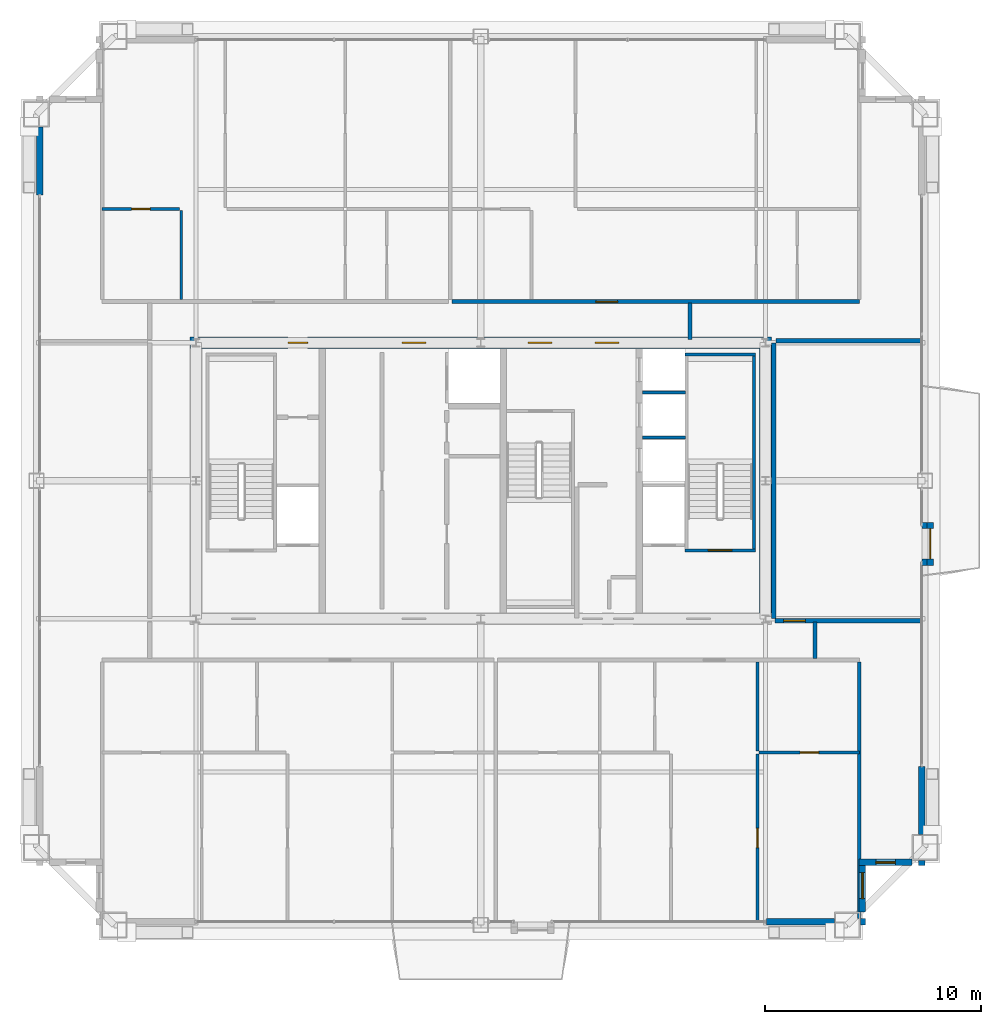
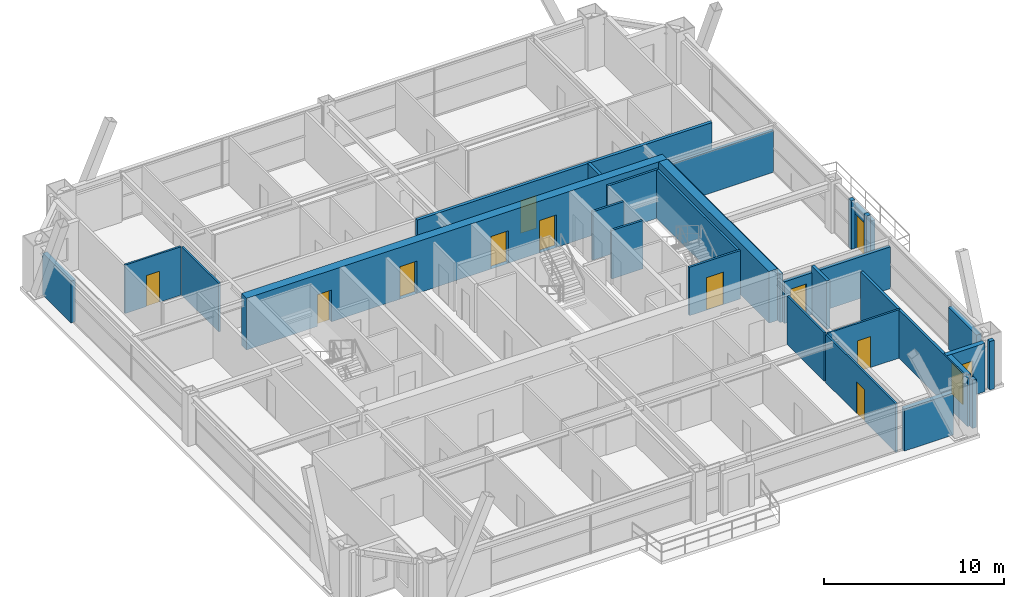
# One storey, part 34 of 37: 29 walls, 11 doors, 2 windows, 13 openings.
"""IFC4 building model written with IfcOpenShell, lengths in metres."""

from ifc_helpers import new_model, si_unit, direction, frame, frame_2d, origin, place, context, subcontext, project, spatial, rectangle, extrude, source, transform, mapped, material, layer, layer_set, type_object, element, fill, save


model = new_model("IFC4")

# Units and contexts
model_context = context("Model", 3, precision=1e-05, world=origin(), true_north=direction((0.0, 1.0)))
body_context = subcontext(model_context, "Body", "Model", "MODEL_VIEW")
ifc_project = project(units=[si_unit("LENGTHUNIT", "METRE"), si_unit("AREAUNIT", "SQUARE_METRE"), si_unit("VOLUMEUNIT", "CUBIC_METRE"), si_unit("PLANEANGLEUNIT", "RADIAN"), si_unit("MASSUNIT", "GRAM", prefix="KILO"), si_unit("THERMODYNAMICTEMPERATUREUNIT", "KELVIN"), si_unit("POWERUNIT", "WATT")], contexts=[model_context])

# Site, building, storey
site_placement = place(None, origin())
site = spatial("IfcSite", under=ifc_project, at=site_placement, CompositionType="ELEMENT")
building_placement = place(site_placement, origin())
building = spatial("IfcBuilding", under=site, at=building_placement, Name="Yuzanri Waterfront Tower", CompositionType="ELEMENT")
storey_placement = place(building_placement, frame((0.0, 0.0, 278.60009765625)))
storey = spatial("IfcBuildingStorey", under=building, at=storey_placement, Name="L74", CompositionType="ELEMENT", Elevation=278.60009765625)

# Wall, opening, door
ifc_material_1 = material(Name="Moisture-Resistant Gypsum Stud Wall", Category="gypsum")
ifc_layer_1 = layer(ifc_material_1, 0.1201171875)
ifc_layer_set_1 = layer_set([ifc_layer_1], Name="Moisture-Resistant Gypsum Stud Wall")
wall_type_1 = type_object("IfcWallType", Name="Bathroom and Kitchen Wet Partition 120", PredefinedType="PARTITIONING", material=ifc_layer_set_1)
wall_1_placement = place(storey_placement, frame((49.9130859375, 13.199951171875, 0.0), z_axis=(0.0, 0.0, 1.0), x_axis=(1.0, 0.0, 0.0)))
wall_1 = element("IfcWall", 1, at=wall_1_placement, inside=storey, type_object=wall_type_1, Name="L74 Partition UW-L74-HS2-SUB-3-S", PredefinedType="PARTITIONING", context=body_context, shape_type="SweptSolid", body=[
    extrude(rectangle(XDim=4.64697265625, YDim=0.1201171875, at=frame_2d((2.323486328125, 0.0))), origin(), (0.0, 0.0, 1.0), 3.27978515625),
])
opening_1_placement = place(wall_1_placement, frame((1.8984375, 0.0, 0.0)))
opening_1 = element("IfcOpeningElement", 2, at=opening_1_placement, cuts=wall_1, Name="Opening ID-0850", PredefinedType="OPENING", context=body_context, shape_type="SweptSolid", body=[
    extrude(rectangle(XDim=0.85009765625, YDim=2.10009765625, at=frame_2d((0.425048828125, 1.050048828125))), frame((0.0, 0.074951171875, 0.0), z_axis=(0.0, -1.0, 0.0), x_axis=(1.0, 0.0, 0.0)), (0.0, 0.0, 1.0), 0.14990234375),
])
ifc_material_2 = material(Name="Moisture-Resistant Lacquered Timber", Category="wood")
door_type_1 = type_object("IfcDoorType", Name="En-Suite Bathroom and Kitchen Swing Door 850x2100", OperationType="NOTDEFINED", PredefinedType="DOOR", material=ifc_material_2)
shared_shape_1 = source(origin(), body_context, "Body", "SweptSolid", [
    extrude(rectangle(XDim=0.85009765625, YDim=2.10009765625, at=frame_2d((0.425048828125, 1.050048828125))), frame((0.0, 0.02490234375, 0.0), z_axis=(0.0, -1.0, 0.0), x_axis=(1.0, 0.0, 0.0)), (0.0, 0.0, 1.0), 0.050048828125),
])
door_1_placement = place(opening_1_placement, origin())
door_1 = element("IfcDoor", 3, at=door_1_placement, inside=storey, type_object=door_type_1, Name="L74 Suite Interior Room Door", OperationType="SINGLE_SWING_LEFT", OverallHeight=2.10009765625, OverallWidth=0.85009765625, PredefinedType="DOOR", context=body_context, shape_type="MappedRepresentation", body=[
    mapped(shared_shape_1, transform((0.0, 0.0, 0.0), scale=1.0)),
])
fill(opening_1, door_1)

wall_2_placement = place(storey_placement, frame((49.8330078125, 5.35009765625, 0.0), z_axis=(0.0, 0.0, 1.0), x_axis=(0.0, 1.0, 0.0)))
wall_2 = element("IfcWall", 4, at=wall_2_placement, inside=storey, type_object=wall_type_1, Name="L74 Partition UW-L74-HS2-SUB-5-W", PredefinedType="PARTITIONING", context=body_context, shape_type="SweptSolid", body=[
    extrude(rectangle(XDim=7.77001953125, YDim=0.1201171875, at=frame_2d((3.885009765625, 0.0))), origin(), (0.0, 0.0, 1.0), 3.27978515625),
])
opening_2_placement = place(wall_2_placement, frame((3.43505859375, 0.0, 0.0)))
opening_2 = element("IfcOpeningElement", 5, at=opening_2_placement, cuts=wall_2, Name="Opening ID-0900", PredefinedType="OPENING", context=body_context, shape_type="SweptSolid", body=[
    extrude(rectangle(XDim=0.89990234375, YDim=2.14990234375, at=frame_2d((0.449951171875, 1.074951171875))), frame((0.0, 0.074951171875, 0.0), z_axis=(0.0, -1.0, 0.0), x_axis=(1.0, 0.0, 0.0)), (0.0, 0.0, 1.0), 0.14990234375),
])
ifc_material_3 = material(Name="Stained Walnut Veneer Timber", Category="wood")
door_type_2 = type_object("IfcDoorType", Name="Bedroom and Study Interior Swing Door 900x2150", OperationType="NOTDEFINED", PredefinedType="DOOR", material=ifc_material_3)
shared_shape_2 = source(origin(), body_context, "Body", "SweptSolid", [
    extrude(rectangle(XDim=0.89990234375, YDim=2.14990234375, at=frame_2d((0.449951171875, 1.074951171875))), frame((0.0, 0.02490234375, 0.0), z_axis=(0.0, -1.0, 0.0), x_axis=(1.0, 0.0, 0.0)), (0.0, 0.0, 1.0), 0.050048828125),
])
door_2_placement = place(opening_2_placement, origin())
door_2 = element("IfcDoor", 6, at=door_2_placement, inside=storey, type_object=door_type_2, Name="L74 Suite Interior Room Door", OperationType="SINGLE_SWING_LEFT", OverallHeight=2.14990234375, OverallWidth=0.89990234375, PredefinedType="DOOR", context=body_context, shape_type="MappedRepresentation", body=[
    mapped(shared_shape_2, transform((0.0, 0.0, 0.0), scale=1.0)),
])
fill(opening_2, door_2)

wall_3_placement = place(storey_placement, frame((19.43994140625, 38.39990234375, 0.0), z_axis=(0.0, 0.0, 1.0), x_axis=(1.0, 0.0, 0.0)))
wall_3 = element("IfcWall", 7, at=wall_3_placement, inside=storey, type_object=wall_type_1, Name="L74 Partition UW-L74-HN1-SUB-1-N", PredefinedType="PARTITIONING", context=body_context, shape_type="SweptSolid", body=[
    extrude(rectangle(XDim=3.60009765625, YDim=0.1201171875, at=frame_2d((1.800048828125, 0.0))), origin(), (0.0, 0.0, 1.0), 3.27978515625),
])
opening_3_placement = place(wall_3_placement, frame((1.375, 0.0, 0.0)))
opening_3 = element("IfcOpeningElement", 8, at=opening_3_placement, cuts=wall_3, Name="Opening ID-0850", PredefinedType="OPENING", context=body_context, shape_type="SweptSolid", body=[
    extrude(rectangle(XDim=0.85009765625, YDim=2.10009765625, at=frame_2d((0.425048828125, 1.050048828125))), frame((0.0, 0.074951171875, 0.0), z_axis=(0.0, -1.0, 0.0), x_axis=(1.0, 0.0, 0.0)), (0.0, 0.0, 1.0), 0.14990234375),
])
door_3_placement = place(opening_3_placement, origin())
door_3 = element("IfcDoor", 9, at=door_3_placement, inside=storey, type_object=door_type_1, Name="L74 Suite Interior Room Door", OperationType="SINGLE_SWING_RIGHT", OverallHeight=2.10009765625, OverallWidth=0.85009765625, PredefinedType="DOOR", context=body_context, shape_type="MappedRepresentation", body=[
    mapped(shared_shape_1, transform((0.0, 0.0, 0.0), scale=1.0)),
])
fill(opening_3, door_3)

# Wall, opening, window
ifc_material_4 = material(Name="Honed Chongqing Dark Basalt Stone", Category="masonry")
ifc_layer_2 = layer(ifc_material_4, 0.300048828125)
ifc_layer_set_2 = layer_set([ifc_layer_2], Name="Honed Chongqing Dark Basalt Stone")
wall_type_2 = type_object("IfcWallType", Name="Bronze Rainscreen Insulated Spandrel Portal Wall 300", PredefinedType="SOLIDWALL", material=ifc_layer_set_2)
wall_4_placement = place(storey_placement, frame((54.550048828125, 8.10009765625, 0.0), z_axis=(0.0, 0.0, 1.0), x_axis=(1.0, 0.0, 0.0)))
wall_4 = element("IfcWall", 10, at=wall_4_placement, inside=storey, type_object=wall_type_2, Name="L74 Notched Corner Masonry Wall SE-X", PredefinedType="SOLIDWALL", context=body_context, shape_type="SweptSolid", body=[
    extrude(rectangle(XDim=2.449951171875, YDim=0.300048828125, at=frame_2d((1.22509765625, 0.0))), origin(), (0.0, 0.0, 1.0), 3.27978515625),
])
opening_4_placement = place(wall_4_placement, frame((0.77490234375, 0.0, 0.85009765625)))
opening_4 = element("IfcOpeningElement", 11, at=opening_4_placement, cuts=wall_4, Name="Opening WN-05", PredefinedType="OPENING", context=body_context, shape_type="SweptSolid", body=[
    extrude(rectangle(XDim=0.89990234375, YDim=1.5, at=frame_2d((0.449951171875, 0.75))), frame((0.0, 0.1650390625, 0.0), z_axis=(0.0, -1.0, 0.0), x_axis=(1.0, 0.0, 0.0)), (0.0, 0.0, 1.0), 0.329833984375),
])
ifc_material_5 = material(Name="Double-Silver Low-E Insulated Glass", Category="glass")
window_type_1 = type_object("IfcWindowType", Name="Anodized Bronze Service and Stairwell Smoke-Vent Window 900x1500", PartitioningType="SINGLE_PANEL", PredefinedType="WINDOW", material=ifc_material_5)
shared_shape_3 = source(origin(), body_context, "Body", "SweptSolid", [
    extrude(rectangle(XDim=0.89990234375, YDim=1.5, at=frame_2d((0.449951171875, 0.75))), frame((0.0, 0.030029296875, 0.0), z_axis=(0.0, -1.0, 0.0), x_axis=(1.0, 0.0, 0.0)), (0.0, 0.0, 1.0), 0.06005859375),
])
window_1_placement = place(opening_4_placement, origin())
window_1 = element("IfcWindow", 12, at=window_1_placement, inside=storey, type_object=window_type_1, Name="L74 Notched Corner Window SE-X", OverallHeight=1.5, OverallWidth=0.89990234375, PartitioningType="SINGLE_PANEL", PredefinedType="WINDOW", context=body_context, shape_type="MappedRepresentation", body=[
    mapped(shared_shape_3, transform((0.0, 0.0, 0.0), scale=1.0)),
])
fill(opening_4, window_1)

wall_5_placement = place(storey_placement, frame((54.699951171875, 5.800048828125, 0.0), z_axis=(0.0, 0.0, 1.0), x_axis=(0.0, 1.0, 0.0)))
wall_5 = element("IfcWall", 13, at=wall_5_placement, inside=storey, type_object=wall_type_2, Name="L74 Notched Corner Masonry Wall SE-Y", PredefinedType="SOLIDWALL", context=body_context, shape_type="SweptSolid", body=[
    extrude(rectangle(XDim=2.449951171875, YDim=0.300048828125, at=frame_2d((1.22509765625, 0.0))), origin(), (0.0, 0.0, 1.0), 3.27978515625),
])
opening_5_placement = place(wall_5_placement, frame((0.625, 0.0, 0.85009765625)))
opening_5 = element("IfcOpeningElement", 14, at=opening_5_placement, cuts=wall_5, Name="Opening WN-02", PredefinedType="OPENING", context=body_context, shape_type="SweptSolid", body=[
    extrude(rectangle(XDim=1.199951171875, YDim=2.10009765625, at=frame_2d((0.60009765625, 1.050048828125))), frame((0.0, 0.1650390625, 0.0), z_axis=(0.0, -1.0, 0.0), x_axis=(1.0, 0.0, 0.0)), (0.0, 0.0, 1.0), 0.329833984375),
])
ifc_material_6 = material(Name="Double-Silver Low-E Insulated Glass", Category="glass")
window_type_2 = type_object("IfcWindowType", Name="Anodized Bronze Notched Corner Deep-Set Slot Window 1200x2100", PartitioningType="SINGLE_PANEL", PredefinedType="WINDOW", material=ifc_material_6)
shared_shape_4 = source(origin(), body_context, "Body", "SweptSolid", [
    extrude(rectangle(XDim=1.199951171875, YDim=2.10009765625, at=frame_2d((0.60009765625, 1.050048828125))), frame((0.0, 0.030029296875, 0.0), z_axis=(0.0, -1.0, 0.0), x_axis=(1.0, 0.0, 0.0)), (0.0, 0.0, 1.0), 0.06005859375),
])
window_2_placement = place(opening_5_placement, origin())
window_2 = element("IfcWindow", 15, at=window_2_placement, inside=storey, type_object=window_type_2, Name="L74 Notched Corner Window SE-Y", OverallHeight=2.10009765625, OverallWidth=1.199951171875, PartitioningType="SINGLE_PANEL", PredefinedType="WINDOW", context=body_context, shape_type="MappedRepresentation", body=[
    mapped(shared_shape_4, transform((0.0, 0.0, 0.0), scale=1.0)),
])
fill(opening_5, window_2)

# Wall, opening, door
wall_6_placement = place(storey_placement, frame((57.85009765625, 21.875, 0.0), z_axis=(0.0, 0.0, 1.0), x_axis=(0.0, 1.0, 0.0)))
wall_6 = element("IfcWall", 16, at=wall_6_placement, inside=storey, type_object=wall_type_2, Name="L74 E Terrace Door Portal Wall", PredefinedType="SOLIDWALL", context=body_context, shape_type="SweptSolid", body=[
    extrude(rectangle(XDim=2.0, YDim=0.300048828125, at=frame_2d((1.0, 0.0))), origin(), (0.0, 0.0, 1.0), 2.8349609375),
])
opening_6_placement = place(wall_6_placement, frame((0.300048828125, 0.0, 0.0)))
opening_6 = element("IfcOpeningElement", 17, at=opening_6_placement, cuts=wall_6, Name="Opening TD-1400", PredefinedType="OPENING", context=body_context, shape_type="SweptSolid", body=[
    extrude(rectangle(XDim=1.39990234375, YDim=2.300048828125, at=frame_2d((0.699951171875, 1.14990234375))), frame((0.0, 0.1650390625, 0.0), z_axis=(0.0, -1.0, 0.0), x_axis=(1.0, 0.0, 0.0)), (0.0, 0.0, 1.0), 0.329833984375),
])
ifc_material_7 = material(Name="Anodized Architectural Bronze", Category="metal")
door_type_3 = type_object("IfcDoorType", Name="Anodized Bronze Balcony and Terrace Glazed Double Door 1400x2300", OperationType="NOTDEFINED", PredefinedType="DOOR", material=ifc_material_7)
shared_shape_5 = source(origin(), body_context, "Body", "SweptSolid", [
    extrude(rectangle(XDim=1.39990234375, YDim=2.300048828125, at=frame_2d((0.699951171875, 1.14990234375))), frame((0.0, 0.02490234375, 0.0), z_axis=(0.0, -1.0, 0.0), x_axis=(1.0, 0.0, 0.0)), (0.0, 0.0, 1.0), 0.050048828125),
])
door_4_placement = place(opening_6_placement, origin())
door_4 = element("IfcDoor", 18, at=door_4_placement, inside=storey, type_object=door_type_3, Name="L74 E Terrace Glazed Double Door", OperationType="DOUBLE_DOOR_SINGLE_SWING", OverallHeight=2.300048828125, OverallWidth=1.39990234375, PredefinedType="DOOR", context=body_context, shape_type="MappedRepresentation", body=[
    mapped(shared_shape_5, transform((0.0, 0.0, 0.0), scale=1.0)),
])
fill(opening_6, door_4)

# Wall, openings, doors
ifc_material_8 = material(Name="Concrete C50", Category="concrete")
ifc_layer_3 = layer(ifc_material_8, 0.550048828125)
ifc_layer_set_3 = layer_set([ifc_layer_3], Name="Concrete C50")
wall_type_3 = type_object("IfcWallType", Name="Concrete C50 Upper-Mid Zone Core Shear Wall 550", PredefinedType="SHEAR", material=ifc_layer_set_3)
wall_7_placement = place(storey_placement, frame((23.52490234375, 32.199951171875, 0.0), z_axis=(0.0, 0.0, 1.0), x_axis=(1.0, 0.0, 0.0)))
wall_7 = element("IfcWall", 19, at=wall_7_placement, inside=storey, type_object=wall_type_3, Name="L74 Core North Shear Wall", PredefinedType="SHEAR", context=body_context, shape_type="SweptSolid", body=[
    extrude(rectangle(XDim=26.9501953125, YDim=0.550048828125, at=frame_2d((13.47509765625, 0.0))), origin(), (0.0, 0.0, 1.0), 3.5),
])
opening_7_placement = place(wall_7_placement, frame((4.544921875, 0.0, 0.0)))
opening_7 = element("IfcOpeningElement", 20, at=opening_7_placement, cuts=wall_7, Name="Opening FD-0900", PredefinedType="OPENING", context=body_context, shape_type="SweptSolid", body=[
    extrude(rectangle(XDim=0.89990234375, YDim=2.14990234375, at=frame_2d((0.449951171875, 1.074951171875))), frame((0.0, 0.2900390625, 0.0), z_axis=(0.0, -1.0, 0.0), x_axis=(1.0, 0.0, 0.0)), (0.0, 0.0, 1.0), 0.579833984375),
])
opening_8_placement = place(wall_7_placement, frame((9.824951171875, 0.0, 0.0)))
opening_8 = element("IfcOpeningElement", 21, at=opening_8_placement, cuts=wall_7, Name="Opening FD-1100", PredefinedType="OPENING", context=body_context, shape_type="SweptSolid", body=[
    extrude(rectangle(XDim=1.10009765625, YDim=2.199951171875, at=frame_2d((0.550048828125, 1.10009765625))), frame((0.0, 0.2900390625, 0.0), z_axis=(0.0, -1.0, 0.0), x_axis=(1.0, 0.0, 0.0)), (0.0, 0.0, 1.0), 0.579833984375),
])
opening_9_placement = place(wall_7_placement, frame((15.675048828125, 0.0, 0.0)))
opening_9 = element("IfcOpeningElement", 22, at=opening_9_placement, cuts=wall_7, Name="Opening FD-1100", PredefinedType="OPENING", context=body_context, shape_type="SweptSolid", body=[
    extrude(rectangle(XDim=1.10009765625, YDim=2.199951171875, at=frame_2d((0.550048828125, 1.10009765625))), frame((0.0, 0.2900390625, 0.0), z_axis=(0.0, -1.0, 0.0), x_axis=(1.0, 0.0, 0.0)), (0.0, 0.0, 1.0), 0.579833984375),
])
opening_10_placement = place(wall_7_placement, frame((18.77490234375, 0.0, 0.0)))
opening_10 = element("IfcOpeningElement", 23, at=opening_10_placement, cuts=wall_7, Name="Opening FD-1100", PredefinedType="OPENING", context=body_context, shape_type="SweptSolid", body=[
    extrude(rectangle(XDim=1.10009765625, YDim=2.199951171875, at=frame_2d((0.550048828125, 1.10009765625))), frame((0.0, 0.2900390625, 0.0), z_axis=(0.0, -1.0, 0.0), x_axis=(1.0, 0.0, 0.0)), (0.0, 0.0, 1.0), 0.579833984375),
])
ifc_material_9 = material(Name="Painted Galvanized Fire Steel", Category="steel")
door_type_4 = type_object("IfcDoorType", Name="Smoke-Proof Stair and Lobby Fire Door 1100x2200", OperationType="NOTDEFINED", PredefinedType="DOOR", material=ifc_material_9)
shared_shape_6 = source(origin(), body_context, "Body", "SweptSolid", [
    extrude(rectangle(XDim=1.10009765625, YDim=2.199951171875, at=frame_2d((0.550048828125, 1.10009765625))), frame((0.0, 0.02490234375, 0.0), z_axis=(0.0, -1.0, 0.0), x_axis=(1.0, 0.0, 0.0)), (0.0, 0.0, 1.0), 0.050048828125),
])
door_5_placement = place(opening_8_placement, origin())
door_5 = element("IfcDoor", 24, at=door_5_placement, inside=storey, type_object=door_type_4, Name="L74 Central Lift Lobby North Door", OperationType="SINGLE_SWING_RIGHT", OverallHeight=2.199951171875, OverallWidth=1.10009765625, PredefinedType="DOOR", context=body_context, shape_type="MappedRepresentation", body=[
    mapped(shared_shape_6, transform((0.0, 0.0, 0.0), scale=1.0)),
])
fill(opening_8, door_5)
door_6_placement = place(opening_9_placement, origin())
door_6 = element("IfcDoor", 25, at=door_6_placement, inside=storey, type_object=door_type_4, Name="L74 North Stair Lobby Door", OperationType="SINGLE_SWING_LEFT", OverallHeight=2.199951171875, OverallWidth=1.10009765625, PredefinedType="DOOR", context=body_context, shape_type="MappedRepresentation", body=[
    mapped(shared_shape_6, transform((0.0, 0.0, 0.0), scale=1.0)),
])
fill(opening_9, door_6)
door_7_placement = place(opening_10_placement, origin())
door_7 = element("IfcDoor", 26, at=door_7_placement, inside=storey, type_object=door_type_4, Name="L74 High-Rise Lift Lobby North Door", OperationType="SINGLE_SWING_RIGHT", OverallHeight=2.199951171875, OverallWidth=1.10009765625, PredefinedType="DOOR", context=body_context, shape_type="MappedRepresentation", body=[
    mapped(shared_shape_6, transform((0.0, 0.0, 0.0), scale=1.0)),
])
fill(opening_10, door_7)
ifc_material_10 = material(Name="Painted Galvanized Fire Steel", Category="steel")
door_type_5 = type_object("IfcDoorType", Name="Riser and Service Room Fire Door 900x2150", OperationType="NOTDEFINED", PredefinedType="DOOR", material=ifc_material_10)
shared_shape_7 = source(origin(), body_context, "Body", "SweptSolid", [
    extrude(rectangle(XDim=0.89990234375, YDim=2.14990234375, at=frame_2d((0.449951171875, 1.074951171875))), frame((0.0, 0.02490234375, 0.0), z_axis=(0.0, -1.0, 0.0), x_axis=(1.0, 0.0, 0.0)), (0.0, 0.0, 1.0), 0.050048828125),
])
door_8_placement = place(opening_7_placement, origin())
door_8 = element("IfcDoor", 27, at=door_8_placement, inside=storey, type_object=door_type_5, Name="L74 Telecom Riser Door", OperationType="SINGLE_SWING_LEFT", OverallHeight=2.14990234375, OverallWidth=0.89990234375, PredefinedType="DOOR", context=body_context, shape_type="MappedRepresentation", body=[
    mapped(shared_shape_7, transform((0.0, 0.0, 0.0), scale=1.0)),
])
fill(opening_7, door_8)

# Wall, opening, door
ifc_material_11 = material(Name="Concrete C40", Category="concrete")
ifc_layer_4 = layer(ifc_material_11, 0.139892578125)
ifc_layer_set_4 = layer_set([ifc_layer_4], Name="Concrete C40")
wall_type_4 = type_object("IfcWallType", Name="Core Stair Liner and Hoistway Shaft Wall 140", PredefinedType="SOLIDWALL", material=ifc_layer_set_4)
wall_8_placement = place(storey_placement, frame((46.4599609375, 22.570068359375, 0.0), z_axis=(0.0, 0.0, 1.0), x_axis=(1.0, 0.0, 0.0)))
wall_8 = element("IfcWall", 28, at=wall_8_placement, inside=storey, type_object=wall_type_4, Name="L74 Shaft Wall STW-L74-ST-02-S", PredefinedType="SOLIDWALL", context=body_context, shape_type="SweptSolid", body=[
    extrude(rectangle(XDim=3.280029296875, YDim=0.139892578125, at=frame_2d((1.64013671875, 0.0))), origin(), (0.0, 0.0, 1.0), 3.27978515625),
])
opening_11_placement = place(wall_8_placement, frame((1.090087890625, 0.0, 0.0)))
opening_11 = element("IfcOpeningElement", 29, at=opening_11_placement, cuts=wall_8, Name="Opening FD-1100", PredefinedType="OPENING", context=body_context, shape_type="SweptSolid", body=[
    extrude(rectangle(XDim=1.10009765625, YDim=2.199951171875, at=frame_2d((0.550048828125, 1.10009765625))), frame((0.0, 0.0849609375, 0.0), z_axis=(0.0, -1.0, 0.0), x_axis=(1.0, 0.0, 0.0)), (0.0, 0.0, 1.0), 0.169677734375),
])
door_9_placement = place(opening_11_placement, origin())
door_9 = element("IfcDoor", 30, at=door_9_placement, inside=storey, type_object=door_type_4, Name="L74 Stair ST-02 Fire Door", OperationType="SINGLE_SWING_RIGHT", OverallHeight=2.199951171875, OverallWidth=1.10009765625, PredefinedType="DOOR", context=body_context, shape_type="MappedRepresentation", body=[
    mapped(shared_shape_6, transform((0.0, 0.0, 0.0), scale=1.0)),
])
fill(opening_11, door_9)

ifc_material_12 = material(Name="Autoclaved Aerated Concrete Blockwork", Category="masonry")
ifc_layer_5 = layer(ifc_material_12, 0.199951171875)
ifc_layer_set_5 = layer_set([ifc_layer_5], Name="Autoclaved Aerated Concrete Blockwork")
wall_type_5 = type_object("IfcWallType", Name="Corridor and Unit Party Fire Wall 200", PredefinedType="PARTITIONING", material=ifc_layer_set_5)
wall_9_placement = place(storey_placement, frame((35.675048828125, 34.110107421875, 0.0), z_axis=(0.0, 0.0, 1.0), x_axis=(1.0, 0.0, 0.0)))
wall_9 = element("IfcWall", 31, at=wall_9_placement, inside=storey, type_object=wall_type_5, Name="L74 Partition UW-L74-HN2-CS", PredefinedType="PARTITIONING", context=body_context, shape_type="SweptSolid", body=[
    extrude(rectangle(XDim=18.885009765625, YDim=0.199951171875, at=frame_2d((9.4423828125, 0.0))), origin(), (0.0, 0.0, 1.0), 3.27978515625),
])
opening_12_placement = place(wall_9_placement, frame((6.66796875, 0.0, 0.0)))
opening_12 = element("IfcOpeningElement", 32, at=opening_12_placement, cuts=wall_9, Name="Opening FD-1000", PredefinedType="OPENING", context=body_context, shape_type="SweptSolid", body=[
    extrude(rectangle(XDim=1.0, YDim=2.199951171875, at=frame_2d((0.5, 1.10009765625))), frame((0.0, 0.11474609375, 0.0), z_axis=(0.0, -1.0, 0.0), x_axis=(1.0, 0.0, 0.0)), (0.0, 0.0, 1.0), 0.229736328125),
])
ifc_material_13 = material(Name="Engineered Oak Fire-Rated Timber", Category="wood")
door_type_6 = type_object("IfcDoorType", Name="Guestroom and Apartment Entrance Fire Door 1000x2200", OperationType="NOTDEFINED", PredefinedType="DOOR", material=ifc_material_13)
shared_shape_8 = source(origin(), body_context, "Body", "SweptSolid", [
    extrude(rectangle(XDim=1.0, YDim=2.199951171875, at=frame_2d((0.5, 1.10009765625))), frame((0.0, 0.02490234375, 0.0), z_axis=(0.0, -1.0, 0.0), x_axis=(1.0, 0.0, 0.0)), (0.0, 0.0, 1.0), 0.050048828125),
])
door_10_placement = place(opening_12_placement, origin())
door_10 = element("IfcDoor", 33, at=door_10_placement, inside=storey, type_object=door_type_6, Name="L74 Apartment Living Room Entrance Door", OperationType="SINGLE_SWING_LEFT", OverallHeight=2.199951171875, OverallWidth=1.0, PredefinedType="DOOR", context=body_context, shape_type="MappedRepresentation", body=[
    mapped(shared_shape_8, transform((0.0, 0.0, 0.0), scale=1.0)),
])
fill(opening_12, door_10)

wall_10_placement = place(storey_placement, frame((50.64990234375, 19.31005859375, 0.0), z_axis=(0.0, 0.0, 1.0), x_axis=(1.0, 0.0, 0.0)))
wall_10 = element("IfcWall", 34, at=wall_10_placement, inside=storey, type_object=wall_type_5, Name="L74 Partition UW-L74-046-CS", PredefinedType="PARTITIONING", context=body_context, shape_type="SweptSolid", body=[
    extrude(rectangle(XDim=6.800048828125, YDim=0.199951171875, at=frame_2d((3.39990234375, 0.0))), origin(), (0.0, 0.0, 1.0), 2.824951171875),
])
opening_13_placement = place(wall_10_placement, frame((0.39990234375, 0.0, 0.0)))
opening_13 = element("IfcOpeningElement", 35, at=opening_13_placement, cuts=wall_10, Name="Opening FD-1000", PredefinedType="OPENING", context=body_context, shape_type="SweptSolid", body=[
    extrude(rectangle(XDim=1.0, YDim=2.199951171875, at=frame_2d((0.5, 1.10009765625))), frame((0.0, 0.11474609375, 0.0), z_axis=(0.0, -1.0, 0.0), x_axis=(1.0, 0.0, 0.0)), (0.0, 0.0, 1.0), 0.229736328125),
])
door_11_placement = place(opening_13_placement, origin())
door_11 = element("IfcDoor", 36, at=door_11_placement, inside=storey, type_object=door_type_6, Name="L74 High-Rise E Private Dining Restaurant Entrance Door", OperationType="SINGLE_SWING_RIGHT", OverallHeight=2.199951171875, OverallWidth=1.0, PredefinedType="DOOR", context=body_context, shape_type="MappedRepresentation", body=[
    mapped(shared_shape_8, transform((0.0, 0.0, 0.0), scale=1.0)),
])
fill(opening_13, door_11)

# Walls
shared_shape_9 = source(origin(), body_context, "Body", "SweptSolid", [
    extrude(rectangle(XDim=12.25, YDim=0.550048828125, at=frame_2d((6.125, 0.0))), origin(), (0.0, 0.0, 1.0), 3.5),
])
wall_11_placement = place(storey_placement, frame((50.199951171875, 19.675048828125, 0.0), z_axis=(0.0, 0.0, 1.0), x_axis=(0.0, 1.0, 0.0)))
element("IfcWall", 37, at=wall_11_placement, inside=storey, type_object=wall_type_3, Name="L74 Core East Shear Wall", PredefinedType="SHEAR", context=body_context, shape_type="MappedRepresentation", body=[
    mapped(shared_shape_9, transform((0.0, 0.0, 0.0), scale=1.0)),
])
shared_shape_10 = source(origin(), body_context, "Body", "SweptSolid", [
    extrude(rectangle(XDim=0.25, YDim=0.300048828125, at=frame_2d((0.125, 0.0))), origin(), (0.0, 0.0, 1.0), 3.27978515625),
])
for number, where, z_axis, x_axis, name in (
    (38, (54.60009765625, 5.35009765625, 0.0), (0.0, 0.0, 1.0), (1.0, 0.0, 0.0), "L74 Corner Column Shoulder Return CSE"),
    (39, (57.449951171875, 7.949951171875, 0.0), (0.0, 0.0, 1.0), (0.0, 1.0, 0.0), "L74 Corner Column Shoulder Return CES"),
    (40, (57.449951171875, 22.02490234375, 0.0), (0.0, 0.0, 1.0), (1.0, 0.0, 0.0), "L74 E Terrace Portal Left Return"),
    (41, (57.699951171875, 23.72509765625, 0.0), (0.0, 0.0, 1.0), (-1.0, 0.0, 0.0), "L74 E Terrace Portal Right Return"),
):
    element("IfcWall", number, at=place(storey_placement, frame(where, z_axis=z_axis, x_axis=x_axis)), inside=storey, type_object=wall_type_2, Name=name, PredefinedType="SOLIDWALL", context=body_context, shape_type="MappedRepresentation", body=[
        mapped(shared_shape_10, transform((0.0, 0.0, 0.0), scale=1.0)),
    ])
shared_shape_11 = source(origin(), body_context, "Body", "SweptSolid", [
    extrude(rectangle(XDim=3.14990234375, YDim=0.300048828125, at=frame_2d((1.574951171875, 0.0))), origin(), (0.0, 0.0, 1.0), 2.8349609375),
])
for number, where, z_axis, x_axis, name in (
    (42, (50.25, 5.35009765625, 0.0), (0.0, 0.0, 1.0), (1.0, 0.0, 0.0), "L74 S Right Braced Masonry Shoulder"),
    (43, (16.550048828125, 39.050048828125, 0.0), (0.0, 0.0, 1.0), (0.0, 1.0, 0.0), "L74 W Right Braced Masonry Shoulder"),
):
    element("IfcWall", number, at=place(storey_placement, frame(where, z_axis=z_axis, x_axis=x_axis)), inside=storey, type_object=wall_type_2, Name=name, PredefinedType="SOLIDWALL", context=body_context, shape_type="MappedRepresentation", body=[
        mapped(shared_shape_11, transform((0.0, 0.0, 0.0), scale=1.0)),
    ])
shared_shape_12 = source(origin(), body_context, "Body", "SweptSolid", [
    extrude(rectangle(XDim=3.150146484375, YDim=0.300048828125, at=frame_2d((1.5751953125, 0.0))), origin(), (0.0, 0.0, 1.0), 2.8349609375),
])
wall_12_placement = place(storey_placement, frame((57.449951171875, 9.39990234375, 0.0), z_axis=(0.0, 0.0, 1.0), x_axis=(0.0, 1.0, 0.0)))
element("IfcWall", 44, at=wall_12_placement, inside=storey, type_object=wall_type_2, Name="L74 E Left Braced Masonry Shoulder", PredefinedType="SOLIDWALL", context=body_context, shape_type="MappedRepresentation", body=[
    mapped(shared_shape_12, transform((0.0, 0.0, 0.0), scale=1.0)),
])
shared_shape_13 = source(origin(), body_context, "Body", "SweptSolid", [
    extrude(rectangle(XDim=2.0, YDim=0.139892578125, at=frame_2d((1.0, 0.0))), origin(), (0.0, 0.0, 1.0), 3.27978515625),
])
for number, where, z_axis, x_axis, name in (
    (45, (44.5, 27.800048828125, 0.0), (0.0, 0.0, 1.0), (1.0, 0.0, 0.0), "L74 Lift PL-09 Divider Wall"),
    (46, (44.5, 29.89990234375, 0.0), (0.0, 0.0, 1.0), (1.0, 0.0, 0.0), "L74 Lift PL-10 Divider Wall"),
):
    element("IfcWall", number, at=place(storey_placement, frame(where, z_axis=z_axis, x_axis=x_axis)), inside=storey, type_object=wall_type_4, Name=name, PredefinedType="SOLIDWALL", context=body_context, shape_type="MappedRepresentation", body=[
        mapped(shared_shape_13, transform((0.0, 0.0, 0.0), scale=1.0)),
    ])
shared_shape_14 = source(origin(), body_context, "Body", "SweptSolid", [
    extrude(rectangle(XDim=3.280029296875, YDim=0.139892578125, at=frame_2d((1.64013671875, 0.0))), origin(), (0.0, 0.0, 1.0), 3.27978515625),
])
wall_13_placement = place(storey_placement, frame((46.4599609375, 31.64990234375, 0.0), z_axis=(0.0, 0.0, 1.0), x_axis=(1.0, 0.0, 0.0)))
element("IfcWall", 47, at=wall_13_placement, inside=storey, type_object=wall_type_4, Name="L74 Stair ST-02 North Shaft Wall", PredefinedType="SOLIDWALL", context=body_context, shape_type="MappedRepresentation", body=[
    mapped(shared_shape_14, transform((0.0, 0.0, 0.0), scale=1.0)),
])
shared_shape_15 = source(origin(), body_context, "Body", "SweptSolid", [
    extrude(rectangle(XDim=8.940185546875, YDim=0.139892578125, at=frame_2d((4.47021484375, 0.0))), origin(), (0.0, 0.0, 1.0), 3.27978515625),
])
wall_14_placement = place(storey_placement, frame((49.669921875, 22.639892578125, 0.0), z_axis=(0.0, 0.0, 1.0), x_axis=(0.0, 1.0, 0.0)))
element("IfcWall", 48, at=wall_14_placement, inside=storey, type_object=wall_type_4, Name="L74 Stair ST-02 East Shaft Wall", PredefinedType="SOLIDWALL", context=body_context, shape_type="MappedRepresentation", body=[
    mapped(shared_shape_15, transform((0.0, 0.0, 0.0), scale=1.0)),
])
shared_shape_16 = source(origin(), body_context, "Body", "SweptSolid", [
    extrude(rectangle(XDim=4.10986328125, YDim=0.1201171875, at=frame_2d((2.054931640625, 0.0))), origin(), (0.0, 0.0, 1.0), 3.27978515625),
])
wall_15_placement = place(storey_placement, frame((49.8330078125, 13.280029296875, 0.0), z_axis=(0.0, 0.0, 1.0), x_axis=(0.0, 1.0, 0.0)))
element("IfcWall", 49, at=wall_15_placement, inside=storey, type_object=wall_type_1, Name="L74 Partition UW-L74-HS2-SUB-3-W", PredefinedType="PARTITIONING", context=body_context, shape_type="MappedRepresentation", body=[
    mapped(shared_shape_16, transform((0.0, 0.0, 0.0), scale=1.0)),
])
shared_shape_17 = source(origin(), body_context, "Body", "SweptSolid", [
    extrude(rectangle(XDim=4.110107421875, YDim=0.1201171875, at=frame_2d((2.05517578125, 0.0))), origin(), (0.0, 0.0, 1.0), 3.27978515625),
])
wall_16_placement = place(storey_placement, frame((23.1201171875, 34.2099609375, 0.0), z_axis=(0.0, 0.0, 1.0), x_axis=(0.0, 1.0, 0.0)))
element("IfcWall", 50, at=wall_16_placement, inside=storey, type_object=wall_type_1, Name="L74 Partition UW-L74-HN1-SUB-1-E", PredefinedType="PARTITIONING", context=body_context, shape_type="MappedRepresentation", body=[
    mapped(shared_shape_17, transform((0.0, 0.0, 0.0), scale=1.0)),
])
shared_shape_18 = source(origin(), body_context, "Body", "SweptSolid", [
    extrude(rectangle(XDim=1.699951171875, YDim=0.199951171875, at=frame_2d((0.85009765625, 0.0))), origin(), (0.0, 0.0, 1.0), 3.27978515625),
])
for number, where, z_axis, x_axis, name in (
    (51, (46.699951171875, 32.35009765625, 0.0), (0.0, 0.0, 1.0), (0.0, 1.0, 0.0), "L74 North Foyer East End Wall"),
    (52, (52.5, 17.550048828125, 0.0), (0.0, 0.0, 1.0), (0.0, 1.0, 0.0), "L74 South Foyer East End Wall"),
):
    element("IfcWall", number, at=place(storey_placement, frame(where, z_axis=z_axis, x_axis=x_axis)), inside=storey, type_object=wall_type_5, Name=name, PredefinedType="PARTITIONING", context=body_context, shape_type="MappedRepresentation", body=[
        mapped(shared_shape_18, transform((0.0, 0.0, 0.0), scale=1.0)),
    ])
ifc_material_14 = material(Name="Gypsum Fireboard Acoustic Stud Wall", Category="gypsum")
ifc_layer_6 = layer(ifc_material_14, 0.159912109375)
ifc_layer_set_6 = layer_set([ifc_layer_6], Name="Gypsum Fireboard Acoustic Stud Wall")
wall_type_6 = type_object("IfcWallType", Name="Acoustic Suite Demising Partition 160", PredefinedType="PARTITIONING", material=ifc_layer_set_6)
shared_shape_19 = source(origin(), body_context, "Body", "SweptSolid", [
    extrude(rectangle(XDim=11.889892578125, YDim=0.159912109375, at=frame_2d((5.94482421875, 0.0))), origin(), (0.0, 0.0, 1.0), 3.27978515625),
])
wall_17_placement = place(storey_placement, frame((54.550048828125, 5.5, 0.0), z_axis=(0.0, 0.0, 1.0), x_axis=(0.0, 1.0, 0.0)))
element("IfcWall", 53, at=wall_17_placement, inside=storey, type_object=wall_type_6, Name="L74 South Band East End Wall", PredefinedType="PARTITIONING", context=body_context, shape_type="MappedRepresentation", body=[
    mapped(shared_shape_19, transform((0.0, 0.0, 0.0), scale=1.0)),
])
shared_shape_20 = source(origin(), body_context, "Body", "SweptSolid", [
    extrude(rectangle(XDim=6.764892578125, YDim=0.199951171875, at=frame_2d((3.38232421875, 0.0))), origin(), (0.0, 0.0, 1.0), 2.824951171875),
])
wall_18_placement = place(storey_placement, frame((50.68505859375, 32.2900390625, 0.0), z_axis=(0.0, 0.0, 1.0), x_axis=(1.0, 0.0, 0.0)))
element("IfcWall", 54, at=wall_18_placement, inside=storey, type_object=wall_type_5, Name="L74-046 Wing North Wall", PredefinedType="PARTITIONING", context=body_context, shape_type="MappedRepresentation", body=[
    mapped(shared_shape_20, transform((0.0, 0.0, 0.0), scale=1.0)),
])
shared_shape_21 = source(origin(), body_context, "Body", "SweptSolid", [
    extrude(rectangle(XDim=12.780029296875, YDim=0.199951171875, at=frame_2d((6.39013671875, 0.0))), origin(), (0.0, 0.0, 1.0), 3.27978515625),
])
wall_19_placement = place(storey_placement, frame((50.580078125, 19.409912109375, 0.0), z_axis=(0.0, 0.0, 1.0), x_axis=(0.0, 1.0, 0.0)))
element("IfcWall", 55, at=wall_19_placement, inside=storey, type_object=wall_type_5, Name="L74-046 Wing Inner Core-Side Wall", PredefinedType="PARTITIONING", context=body_context, shape_type="MappedRepresentation", body=[
    mapped(shared_shape_21, transform((0.0, 0.0, 0.0), scale=1.0)),
])

save(model, "model.ifc")
